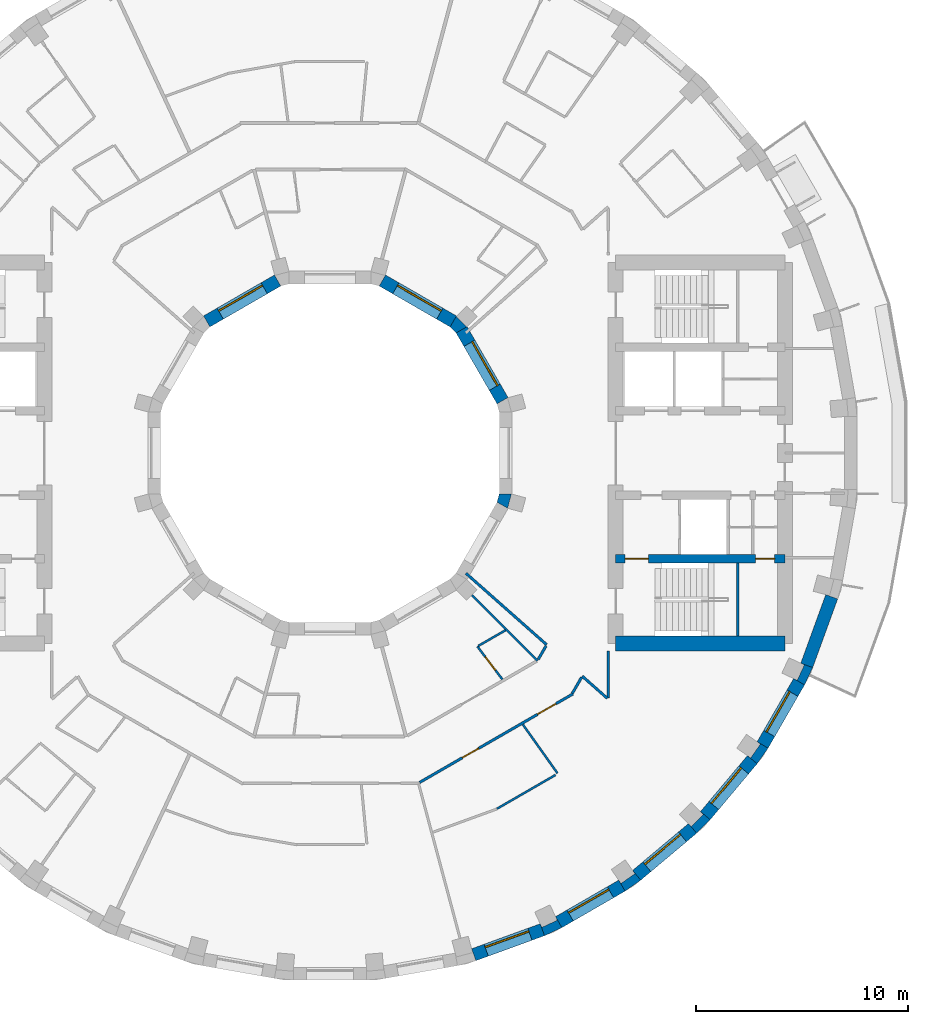
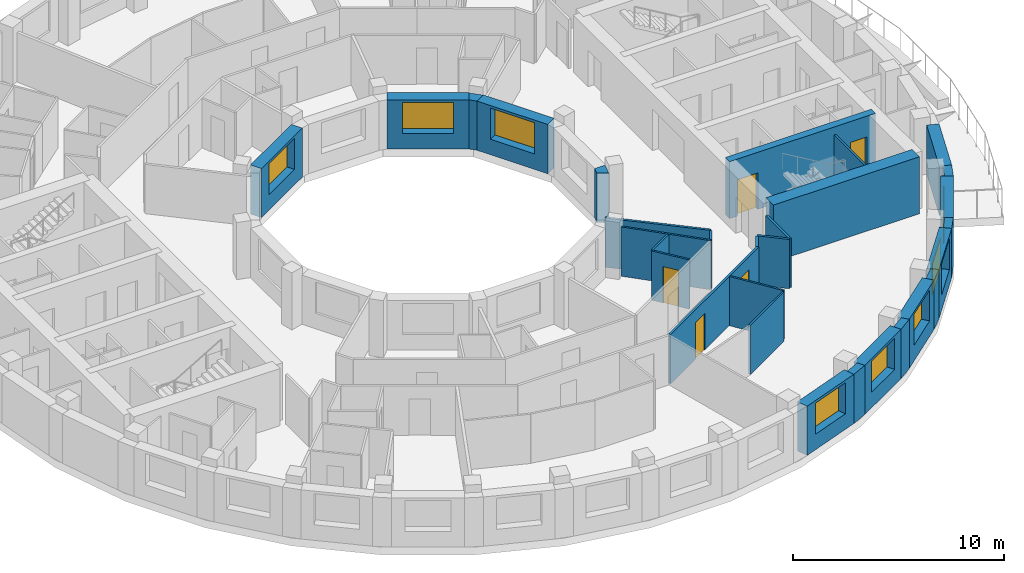
# One storey, part 5 of 11: 30 walls, 8 windows, 5 doors, 13 openings.
"""IFC4 building model written with IfcOpenShell, lengths in metres."""

import ifcopenshell
import ifcopenshell.guid

model = None  # the IFC model being written
_history = None  # IfcOwnerHistory: only IFC2X3 demands one
_inside = {}  # id of a spatial element -> (the spatial element, [elements in it])
_under = {}  # id of a project, library or spatial element -> (it, [spatial elements below it])
_declared = {}  # id of a project -> (the project, [libraries it declares])
_typed = {}  # id of a type object -> (the type object, [elements of that type])
_made_of = {}  # id of a material, layer set ... -> (it, [elements and type objects made of it])


def new_model(schema):
    """Start an empty IFC model of exactly this schema.

    Asked for "IFC4X3", IfcOpenShell would pick the latest addendum, in which some entities
    have other attributes; the version numbers below select the first issue.
    IFC2X3 requires an IfcOwnerHistory on every rooted entity: one is made here for all.
    """
    global model, _history
    if schema == "IFC4X3":
        model = ifcopenshell.file(schema_version=(4, 3, 0, 0))
    else:
        model = ifcopenshell.file(schema=schema)
    _inside.clear()
    _under.clear()
    _declared.clear()
    _typed.clear()
    _made_of.clear()
    _history = None
    if model.schema == "IFC2X3":
        org = make("IfcOrganization", Name="unknown")
        user = make(
            "IfcPersonAndOrganization",
            ThePerson=make("IfcPerson", FamilyName="unknown"),
            TheOrganization=org,
        )
        app = make(
            "IfcApplication",
            ApplicationDeveloper=org,
            Version="unknown",
            ApplicationFullName="unknown",
            ApplicationIdentifier="unknown",
        )
        _history = make(
            "IfcOwnerHistory",
            OwningUser=user,
            OwningApplication=app,
            ChangeAction="ADDED",
            CreationDate=0,
        )
    return model


def make(cls, **values):
    """One entity of the class cls with the attributes given. An attribute that is None is left unset."""
    return model.create_entity(
        cls, **{name: value for name, value in values.items() if value is not None}
    )


def rooted(cls, **values):
    """An entity with a GlobalId (a new one), such as an element, a storey or a relation."""
    return make(cls, GlobalId=ifcopenshell.guid.new(), OwnerHistory=_history, **values)


def si_unit(unit_type, name, prefix=None):
    """IfcSIUnit, for example si_unit("LENGTHUNIT", "METRE", prefix="MILLI")."""
    return make("IfcSIUnit", UnitType=unit_type, Prefix=prefix, Name=name)


def assignment(units):
    """IfcUnitAssignment: the units of a project."""
    return None if units is None else make("IfcUnitAssignment", Units=units)


def point(xyz):
    """IfcCartesianPoint."""
    return None if xyz is None else make("IfcCartesianPoint", Coordinates=xyz)


def direction(xyz):
    """IfcDirection."""
    return None if xyz is None else make("IfcDirection", DirectionRatios=xyz)


def frame(location, z_axis=None, x_axis=None):
    """IfcAxis2Placement3D, a coordinate frame: its origin and axes. An axis left out is left unset."""
    return make(
        "IfcAxis2Placement3D",
        Location=point(location),
        Axis=direction(z_axis),
        RefDirection=direction(x_axis),
    )


def frame_2d(location, x_axis=None):
    """IfcAxis2Placement2D, a coordinate frame in the plane: its origin and x axis."""
    return make(
        "IfcAxis2Placement2D", Location=point(location), RefDirection=direction(x_axis)
    )


def origin():
    """The frame at (0, 0, 0) with its axes left unset."""
    return frame((0.0, 0.0, 0.0))


def place(relative_to, where):
    """IfcLocalPlacement: puts the frame where relative to a parent placement (None: the world)."""
    return make(
        "IfcLocalPlacement", PlacementRelTo=relative_to, RelativePlacement=where
    )


def context(
    kind, dimensions, precision=None, world=None, true_north=None, identifier=None
):
    """IfcGeometricRepresentationContext, for example the 3D "Model" context."""
    return make(
        "IfcGeometricRepresentationContext",
        ContextIdentifier=identifier,
        ContextType=kind,
        CoordinateSpaceDimension=dimensions,
        Precision=precision,
        WorldCoordinateSystem=world,
        TrueNorth=true_north,
    )


def subcontext(parent, identifier, kind, view, scale=None):
    """IfcGeometricRepresentationSubContext, for example "Body" below "Model"."""
    return make(
        "IfcGeometricRepresentationSubContext",
        ContextIdentifier=identifier,
        ContextType=kind,
        ParentContext=parent,
        TargetScale=scale,
        TargetView=view,
    )


def project(units=None, contexts=None):
    """IfcProject with its units and contexts."""
    return rooted(
        "IfcProject",
        Name="project",
        RepresentationContexts=contexts,
        UnitsInContext=assignment(units),
    )


def spatial(cls, under=None, at=None, **own):
    """A site, building, storey or space (cls), placed at a placement, below another one or the project."""
    s = rooted(cls, ObjectPlacement=at, **own)
    if under is not None:
        _under.setdefault(under.id(), (under, []))[1].append(s)
    return s


def polyline(points):
    """IfcPolyline through the points."""
    return make("IfcPolyline", Points=[point(p) for p in points])


def profile(cls, at=None, kind="AREA", **sizes):
    """A parametric profile (cls). Its sizes go by their IFC names, for example OverallWidth=200.0."""
    return make(cls, ProfileType=kind, Position=at, **sizes)


def rectangle(**sizes):
    """IfcRectangleProfileDef."""
    return profile("IfcRectangleProfileDef", **sizes)


def outline(outer, holes=None, kind="AREA"):
    """IfcArbitraryClosedProfileDef: a profile drawn as a closed curve; with holes, ...WithVoids."""
    if holes is None:
        return make("IfcArbitraryClosedProfileDef", ProfileType=kind, OuterCurve=outer)
    return make(
        "IfcArbitraryProfileDefWithVoids",
        ProfileType=kind,
        OuterCurve=outer,
        InnerCurves=holes,
    )


def extrude(swept, where, along, depth):
    """IfcExtrudedAreaSolid: the profile swept, set in the frame where, extruded along a direction by depth."""
    return make(
        "IfcExtrudedAreaSolid",
        SweptArea=swept,
        Position=where,
        ExtrudedDirection=direction(along),
        Depth=depth,
    )


def shape(context_of_items, identifier, shape_type, items):
    """IfcShapeRepresentation: the items that make up one representation, for example the "Body"."""
    return make(
        "IfcShapeRepresentation",
        ContextOfItems=context_of_items,
        RepresentationIdentifier=identifier,
        RepresentationType=shape_type,
        Items=items,
    )


def material(Name=None, Category=None):
    """IfcMaterial."""
    return make("IfcMaterial", Name=Name, Category=Category)


def layer(
    of_material, thickness, ventilated=None, Name=None, Category=None, Priority=None
):
    """IfcMaterialLayer: one layer of a wall or slab, of a material (None: an air gap)."""
    return make(
        "IfcMaterialLayer",
        Material=of_material,
        LayerThickness=thickness,
        IsVentilated=ventilated,
        Name=Name,
        Category=Category,
        Priority=Priority,
    )


def layer_set(layers, Name=None):
    """IfcMaterialLayerSet."""
    return make("IfcMaterialLayerSet", MaterialLayers=layers, LayerSetName=Name)


def made_of(thing, what):
    """Note that an element or type object is made of a material, layer set ...; save() writes the relation."""
    if what is not None:
        _made_of.setdefault(what.id(), (what, []))[1].append(thing)
    return thing


def type_object(cls, material=None, **own):
    """A type object (cls), such as IfcWallType, which elements share."""
    return made_of(rooted(cls, **own), material)


def element(
    cls,
    number,
    at=None,
    inside=None,
    cuts=None,
    type_object=None,
    material=None,
    context=None,
    identifier="Body",
    shape_type=None,
    held_by="IfcProductDefinitionShape",
    body=None,
    shapes=None,
    **own,
):
    """One element of the class cls, such as IfcWall. Its Tag is "e" and its number.

    at: its placement. inside: the storey or other place that contains it. cuts: it is an
    opening in that element (IfcRelVoidsElement). A single representation is given by context,
    identifier, shape_type and body (its items); several are given by shapes. held_by: the class
    of the entity that holds the representations. save() writes the other relations.
    """
    e = rooted(cls, Tag="e%d" % number, ObjectPlacement=at, **own)
    if body is not None:
        shapes = [shape(context, identifier, shape_type, body)]
    if shapes is not None:
        e.Representation = make(held_by, Representations=shapes)
    if inside is not None:
        _inside.setdefault(inside.id(), (inside, []))[1].append(e)
    if cuts is not None:
        rooted(
            "IfcRelVoidsElement", RelatingBuildingElement=cuts, RelatedOpeningElement=e
        )
    if type_object is not None:
        _typed.setdefault(type_object.id(), (type_object, []))[1].append(e)
    return made_of(e, material)


def fill(opening, filler):
    """IfcRelFillsElement: the door or window that sits in an opening."""
    return rooted(
        "IfcRelFillsElement",
        RelatingOpeningElement=opening,
        RelatedBuildingElement=filler,
    )


def aggregate(whole, parts):
    """IfcRelAggregates: a whole, such as a stair, and the parts it consists of."""
    return rooted("IfcRelAggregates", RelatingObject=whole, RelatedObjects=parts)


def save(model, path):
    """Write the relations noted so far, then the file.

    IfcRelAggregates (storeys below a building ...), IfcRelContainedInSpatialStructure (elements
    in a storey), IfcRelDefinesByType, IfcRelAssociatesMaterial and IfcRelDeclares: one each for
    every whole, place, type object, material and project.
    """
    for whole, parts in _under.values():
        aggregate(whole, parts)
    for where, things in _inside.values():
        rooted(
            "IfcRelContainedInSpatialStructure",
            RelatedElements=things,
            RelatingStructure=where,
        )
    for kind, things in _typed.values():
        rooted("IfcRelDefinesByType", RelatedObjects=things, RelatingType=kind)
    for what, things in _made_of.values():
        rooted("IfcRelAssociatesMaterial", RelatedObjects=things, RelatingMaterial=what)
    for by, libraries in _declared.values():
        rooted("IfcRelDeclares", RelatingContext=by, RelatedDefinitions=libraries)
    model.write(path)


model = new_model("IFC4")

# Units and contexts
model_context = context("Model", 3, precision=1e-05, world=origin(), true_north=direction((0.0, 1.0)))
body_context = subcontext(model_context, "Body", "Model", "MODEL_VIEW")
ifc_project = project(units=[si_unit("LENGTHUNIT", "METRE"), si_unit("AREAUNIT", "SQUARE_METRE"), si_unit("VOLUMEUNIT", "CUBIC_METRE"), si_unit("PLANEANGLEUNIT", "RADIAN"), si_unit("MASSUNIT", "GRAM", prefix="KILO")], contexts=[model_context])

# Site, building, storey
site_placement = place(None, origin())
site = spatial("IfcSite", under=ifc_project, at=site_placement, CompositionType="ELEMENT")
building_placement = place(site_placement, origin())
building = spatial("IfcBuilding", under=site, at=building_placement, Name="Saqina Gate Tower", CompositionType="ELEMENT")
storey_placement = place(building_placement, frame((0.0, 0.0, 180.60009765625)))
storey = spatial("IfcBuildingStorey", under=building, at=storey_placement, Name="L51", CompositionType="ELEMENT", Elevation=180.60009765625)

# Walls
ifc_material_1 = material(Name="Brick masonry (buff)", Category="masonry")
wall_type_1 = type_object("IfcWallType", Name="BRICK PIER COPING BUFF", PredefinedType="SOLIDWALL", material=ifc_material_1)
wall_1_placement = place(storey_placement, origin())
element("IfcWall", 1, at=wall_1_placement, inside=storey, type_object=wall_type_1, Name="Pier cap L51 column 30", PredefinedType="SOLIDWALL", context=body_context, shape_type="SweptSolid", body=[
    extrude(outline(polyline([(10.958740234375, -22.4306640625), (10.65869140625, -21.9111328125), (10.73779296875, -22.080810546875), (10.0126953125, -22.4189453125), (9.93359375, -22.249267578125), (10.138916015625, -22.81298828125), (10.958740234375, -22.4306640625)])), origin(), (0.0, 0.0, 1.0), 2.849853515625),
])
wall_2_placement = place(storey_placement, origin())
element("IfcWall", 2, at=wall_2_placement, inside=storey, type_object=wall_type_1, Name="Pier cap L51 column 31", PredefinedType="SOLIDWALL", context=body_context, shape_type="SweptSolid", body=[
    extrude(outline(polyline([(13.9462890625, -20.705810546875), (14.687255859375, -20.18701171875), (14.301513671875, -19.727294921875), (14.408935546875, -19.880859375), (13.753662109375, -20.339599609375), (13.646240234375, -20.186279296875), (13.9462890625, -20.705810546875)])), origin(), (0.0, 0.0, 1.0), 2.849853515625),
])
wall_3_placement = place(storey_placement, origin())
element("IfcWall", 3, at=wall_3_placement, inside=storey, type_object=wall_type_1, Name="Pier cap L51 column 32", PredefinedType="SOLIDWALL", context=body_context, shape_type="SweptSolid", body=[
    extrude(outline(polyline([(17.969482421875, -17.329833984375), (17.510009765625, -16.944091796875), (17.642333984375, -17.07666015625), (17.07666015625, -17.642333984375), (16.944091796875, -17.510009765625), (17.329833984375, -17.969482421875), (17.969482421875, -17.329833984375)])), origin(), (0.0, 0.0, 1.0), 2.849853515625),
])
wall_4_placement = place(storey_placement, origin())
element("IfcWall", 4, at=wall_4_placement, inside=storey, type_object=wall_type_1, Name="Pier cap L51 column 33", PredefinedType="SOLIDWALL", context=body_context, shape_type="SweptSolid", body=[
    extrude(outline(polyline([(20.18701171875, -14.687255859375), (20.705810546875, -13.9462890625), (20.186279296875, -13.646240234375), (20.339599609375, -13.753662109375), (19.880859375, -14.408935546875), (19.727294921875, -14.301513671875), (20.18701171875, -14.687255859375)])), origin(), (0.0, 0.0, 1.0), 2.849853515625),
])
wall_5_placement = place(storey_placement, origin())
element("IfcWall", 5, at=wall_5_placement, inside=storey, type_object=wall_type_1, Name="Pier cap L51 column 34", PredefinedType="SOLIDWALL", context=body_context, shape_type="SweptSolid", body=[
    extrude(outline(polyline([(22.81298828125, -10.138916015625), (22.249267578125, -9.93359375), (22.4189453125, -10.0126953125), (22.080810546875, -10.73779296875), (21.9111328125, -10.65869140625), (22.4306640625, -10.958740234375), (22.81298828125, -10.138916015625)])), origin(), (0.0, 0.0, 1.0), 2.849853515625),
])

# Wall, opening, window
ifc_material_2 = material(Name="Brick masonry (buff)", Category="masonry")
ifc_layer_1 = layer(ifc_material_2, 0.60009765625)
ifc_layer_set_1 = layer_set([ifc_layer_1], Name="FW-BRICK-BUFF")
wall_type_2 = type_object("IfcWallType", Name="FW-BRICK-BUFF", PredefinedType="SOLIDWALL", material=ifc_layer_set_1)
wall_6_placement = place(storey_placement, frame((6.79443359375, -23.7109375, 0.0), z_axis=(0.0, 0.0, 1.0), x_axis=(0.93968799822, 0.342032843455, 0.0)))
wall_6 = element("IfcWall", 6, at=wall_6_placement, inside=storey, type_object=wall_type_2, Name="Facade wall L51 facet 29", PredefinedType="SOLIDWALL", context=body_context, shape_type="SweptSolid", body=[
    extrude(rectangle(XDim=3.44970703125, YDim=0.60009765625, at=frame_2d((1.724853515625, 0.0))), origin(), (0.0, 0.0, 1.0), 2.849853515625),
])
opening_1_placement = place(wall_6_placement, frame((0.625, 0.0, 0.89990234375)))
opening_1 = element("IfcOpeningElement", 7, at=opening_1_placement, cuts=wall_6, Name="Opening G15-W21", PredefinedType="OPENING", context=body_context, shape_type="SweptSolid", body=[
    extrude(rectangle(XDim=2.199951171875, YDim=1.800048828125, at=frame_2d((1.10009765625, 0.89990234375))), frame((0.0, 0.31201171875, 0.0), z_axis=(0.0, -1.0, 0.0), x_axis=(1.0, 0.0, 0.0)), (0.0, 0.0, 1.0), 0.6240234375),
])
ifc_material_3 = material(Name="Aluminium glazing", Category="aluminium")
window_type_1 = type_object("IfcWindowType", Name="WN-C", PartitioningType="SINGLE_PANEL", PredefinedType="WINDOW", material=ifc_material_3)
window_1_placement = place(opening_1_placement, origin())
window_1 = element("IfcWindow", 8, at=window_1_placement, inside=storey, type_object=window_type_1, Name="Window L51 facet 29", OverallHeight=1.800048828125, OverallWidth=2.199951171875, PartitioningType="SINGLE_PANEL", PredefinedType="WINDOW", context=body_context, shape_type="SweptSolid", body=[
    extrude(rectangle(XDim=2.199951171875, YDim=1.800048828125, at=frame_2d((1.10009765625, 0.89990234375))), frame((0.0, 0.179931640625, 0.0), z_axis=(0.0, -1.0, 0.0), x_axis=(1.0, 0.0, 0.0)), (0.0, 0.0, 1.0), 0.06005859375),
])
fill(opening_1, window_1)

wall_7_placement = place(storey_placement, frame((10.80859375, -22.1708984375, 0.0), z_axis=(0.0, 0.0, 1.0), x_axis=(0.86602648383, 0.499998129301, 0.0)))
wall_7 = element("IfcWall", 9, at=wall_7_placement, inside=storey, type_object=wall_type_2, Name="Facade wall L51 facet 30", PredefinedType="SOLIDWALL", context=body_context, shape_type="SweptSolid", body=[
    extrude(rectangle(XDim=3.44970703125, YDim=0.60009765625, at=frame_2d((1.724853515625, 0.0))), origin(), (0.0, 0.0, 1.0), 2.849853515625),
])
opening_2_placement = place(wall_7_placement, frame((0.625, 0.0, 0.89990234375)))
opening_2 = element("IfcOpeningElement", 10, at=opening_2_placement, cuts=wall_7, Name="Opening G15-W22", PredefinedType="OPENING", context=body_context, shape_type="SweptSolid", body=[
    extrude(rectangle(XDim=2.199951171875, YDim=1.800048828125, at=frame_2d((1.10009765625, 0.89990234375))), frame((0.0, 0.31201171875, 0.0), z_axis=(0.0, -1.0, 0.0), x_axis=(1.0, 0.0, 0.0)), (0.0, 0.0, 1.0), 0.6240234375),
])
window_2_placement = place(opening_2_placement, origin())
window_2 = element("IfcWindow", 11, at=window_2_placement, inside=storey, type_object=window_type_1, Name="Window L51 facet 30", OverallHeight=1.800048828125, OverallWidth=2.199951171875, PartitioningType="SINGLE_PANEL", PredefinedType="WINDOW", context=body_context, shape_type="SweptSolid", body=[
    extrude(rectangle(XDim=2.199951171875, YDim=1.800048828125, at=frame_2d((1.10009765625, 0.89990234375))), frame((0.0, 0.179931640625, 0.0), z_axis=(0.0, -1.0, 0.0), x_axis=(1.0, 0.0, 0.0)), (0.0, 0.0, 1.0), 0.06005859375),
])
fill(opening_2, window_2)

wall_8_placement = place(storey_placement, frame((14.494384765625, -19.95703125, 0.0), z_axis=(0.0, 0.0, 1.0), x_axis=(0.766058884809, 0.642770398358, 0.0)))
wall_8 = element("IfcWall", 12, at=wall_8_placement, inside=storey, type_object=wall_type_2, Name="Facade wall L51 facet 31", PredefinedType="SOLIDWALL", context=body_context, shape_type="SweptSolid", body=[
    extrude(rectangle(XDim=3.449462890625, YDim=0.60009765625, at=frame_2d((1.724609375, 0.0))), origin(), (0.0, 0.0, 1.0), 2.849853515625),
])
opening_3_placement = place(wall_8_placement, frame((0.625, 0.0, 0.89990234375)))
opening_3 = element("IfcOpeningElement", 13, at=opening_3_placement, cuts=wall_8, Name="Opening G15-W23", PredefinedType="OPENING", context=body_context, shape_type="SweptSolid", body=[
    extrude(rectangle(XDim=2.199951171875, YDim=1.800048828125, at=frame_2d((1.10009765625, 0.89990234375))), frame((0.0, 0.31201171875, 0.0), z_axis=(0.0, -1.0, 0.0), x_axis=(1.0, 0.0, 0.0)), (0.0, 0.0, 1.0), 0.6240234375),
])
window_3_placement = place(opening_3_placement, origin())
window_3 = element("IfcWindow", 14, at=window_3_placement, inside=storey, type_object=window_type_1, Name="Window L51 facet 31", OverallHeight=1.800048828125, OverallWidth=2.199951171875, PartitioningType="SINGLE_PANEL", PredefinedType="WINDOW", context=body_context, shape_type="SweptSolid", body=[
    extrude(rectangle(XDim=2.199951171875, YDim=1.800048828125, at=frame_2d((1.10009765625, 0.89990234375))), frame((0.0, 0.179931640625, 0.0), z_axis=(0.0, -1.0, 0.0), x_axis=(1.0, 0.0, 0.0)), (0.0, 0.0, 1.0), 0.06005859375),
])
fill(opening_3, window_3)

wall_9_placement = place(storey_placement, frame((17.73974609375, -17.136962890625, 0.0), z_axis=(0.0, 0.0, 1.0), x_axis=(0.642770398358, 0.766058884809, 0.0)))
wall_9 = element("IfcWall", 15, at=wall_9_placement, inside=storey, type_object=wall_type_2, Name="Facade wall L51 facet 32", PredefinedType="SOLIDWALL", context=body_context, shape_type="SweptSolid", body=[
    extrude(rectangle(XDim=3.449462890625, YDim=0.60009765625, at=frame_2d((1.724609375, 0.0))), origin(), (0.0, 0.0, 1.0), 2.849853515625),
])
opening_4_placement = place(wall_9_placement, frame((0.625, 0.0, 0.89990234375)))
opening_4 = element("IfcOpeningElement", 16, at=opening_4_placement, cuts=wall_9, Name="Opening G15-W24", PredefinedType="OPENING", context=body_context, shape_type="SweptSolid", body=[
    extrude(rectangle(XDim=2.199951171875, YDim=1.800048828125, at=frame_2d((1.10009765625, 0.89990234375))), frame((0.0, 0.31201171875, 0.0), z_axis=(0.0, -1.0, 0.0), x_axis=(1.0, 0.0, 0.0)), (0.0, 0.0, 1.0), 0.6240234375),
])
window_4_placement = place(opening_4_placement, origin())
window_4 = element("IfcWindow", 17, at=window_4_placement, inside=storey, type_object=window_type_1, Name="Window L51 facet 32", OverallHeight=1.800048828125, OverallWidth=2.199951171875, PartitioningType="SINGLE_PANEL", PredefinedType="WINDOW", context=body_context, shape_type="SweptSolid", body=[
    extrude(rectangle(XDim=2.199951171875, YDim=1.800048828125, at=frame_2d((1.10009765625, 0.89990234375))), frame((0.0, 0.179931640625, 0.0), z_axis=(0.0, -1.0, 0.0), x_axis=(1.0, 0.0, 0.0)), (0.0, 0.0, 1.0), 0.06005859375),
])
fill(opening_4, window_4)

wall_10_placement = place(storey_placement, frame((20.446044921875, -13.796142578125, 0.0), z_axis=(0.0, 0.0, 1.0), x_axis=(0.499998129301, 0.86602648383, 0.0)))
wall_10 = element("IfcWall", 18, at=wall_10_placement, inside=storey, type_object=wall_type_2, Name="Facade wall L51 facet 33", PredefinedType="SOLIDWALL", context=body_context, shape_type="SweptSolid", body=[
    extrude(rectangle(XDim=3.44970703125, YDim=0.60009765625, at=frame_2d((1.724853515625, 0.0))), origin(), (0.0, 0.0, 1.0), 2.849853515625),
])
opening_5_placement = place(wall_10_placement, frame((0.625, 0.0, 0.89990234375)))
opening_5 = element("IfcOpeningElement", 19, at=opening_5_placement, cuts=wall_10, Name="Opening G15-W25", PredefinedType="OPENING", context=body_context, shape_type="SweptSolid", body=[
    extrude(rectangle(XDim=2.199951171875, YDim=1.800048828125, at=frame_2d((1.10009765625, 0.89990234375))), frame((0.0, 0.31201171875, 0.0), z_axis=(0.0, -1.0, 0.0), x_axis=(1.0, 0.0, 0.0)), (0.0, 0.0, 1.0), 0.6240234375),
])
window_5_placement = place(opening_5_placement, origin())
window_5 = element("IfcWindow", 20, at=window_5_placement, inside=storey, type_object=window_type_1, Name="Window L51 facet 33", OverallHeight=1.800048828125, OverallWidth=2.199951171875, PartitioningType="SINGLE_PANEL", PredefinedType="WINDOW", context=body_context, shape_type="SweptSolid", body=[
    extrude(rectangle(XDim=2.199951171875, YDim=1.800048828125, at=frame_2d((1.10009765625, 0.89990234375))), frame((0.0, 0.179931640625, 0.0), z_axis=(0.0, -1.0, 0.0), x_axis=(1.0, 0.0, 0.0)), (0.0, 0.0, 1.0), 0.06005859375),
])
fill(opening_5, window_5)

# Wall
ifc_material_4 = material(Name="Glazed ceramic tile", Category="ceramic")
ifc_layer_2 = layer(ifc_material_4, 0.60009765625)
ifc_layer_set_2 = layer_set([ifc_layer_2], Name="FW-TILE")
wall_type_3 = type_object("IfcWallType", Name="FW-TILE", PredefinedType="SOLIDWALL", material=ifc_layer_set_2)
wall_11_placement = place(storey_placement, frame((22.531005859375, -10.0361328125, 0.0), z_axis=(0.0, 0.0, 1.0), x_axis=(0.342032843455, 0.93968799822, 0.0)))
element("IfcWall", 21, at=wall_11_placement, inside=storey, type_object=wall_type_3, Name="Facade wall L51 facet 34", PredefinedType="SOLIDWALL", context=body_context, shape_type="SweptSolid", body=[
    extrude(rectangle(XDim=3.44970703125, YDim=0.60009765625, at=frame_2d((1.724853515625, 0.0))), origin(), (0.0, 0.0, 1.0), 2.849853515625),
])

# Wall, opening, window
ifc_material_5 = material(Name="Glazed ceramic tile", Category="ceramic")
ifc_layer_3 = layer(ifc_material_5, 0.60009765625)
ifc_layer_set_3 = layer_set([ifc_layer_3], Name="IW-TILE")
wall_type_4 = type_object("IfcWallType", Name="IW-TILE", PredefinedType="SOLIDWALL", material=ifc_layer_set_3)
wall_12_placement = place(storey_placement, frame((8.155517578125, 2.474365234375, 0.0), z_axis=(0.0, 0.0, 1.0), x_axis=(-0.500033728941, 0.866005929495, 0.0)))
wall_12 = element("IfcWall", 22, at=wall_12_placement, inside=storey, type_object=wall_type_4, Name="Well wall L51 facet 1", PredefinedType="SOLIDWALL", context=body_context, shape_type="SweptSolid", body=[
    extrude(rectangle(XDim=3.869873046875, YDim=0.60009765625, at=frame_2d((1.93505859375, 0.0))), origin(), (0.0, 0.0, 1.0), 2.849853515625),
])
opening_6_placement = place(wall_12_placement, frame((0.73486328125, 0.0, 0.89990234375)))
opening_6 = element("IfcOpeningElement", 23, at=opening_6_placement, cuts=wall_12, Name="Opening G15-W26", PredefinedType="OPENING", context=body_context, shape_type="SweptSolid", body=[
    extrude(rectangle(XDim=2.39990234375, YDim=1.800048828125, at=frame_2d((1.199951171875, 0.89990234375))), frame((0.0, 0.31201171875, 0.0), z_axis=(0.0, -1.0, 0.0), x_axis=(1.0, 0.0, 0.0)), (0.0, 0.0, 1.0), 0.6240234375),
])
ifc_material_6 = material(Name="Aluminium glazing", Category="aluminium")
window_type_2 = type_object("IfcWindowType", Name="WN-W", PartitioningType="SINGLE_PANEL", PredefinedType="WINDOW", material=ifc_material_6)
window_6_placement = place(opening_6_placement, origin())
window_6 = element("IfcWindow", 24, at=window_6_placement, inside=storey, type_object=window_type_2, Name="Well window L51 facet 1", OverallHeight=1.800048828125, OverallWidth=2.39990234375, PartitioningType="SINGLE_PANEL", PredefinedType="WINDOW", context=body_context, shape_type="SweptSolid", body=[
    extrude(rectangle(XDim=2.39990234375, YDim=1.800048828125, at=frame_2d((1.199951171875, 0.89990234375))), frame((0.0, -0.119873046875, 0.0), z_axis=(0.0, -1.0, 0.0), x_axis=(1.0, 0.0, 0.0)), (0.0, 0.0, 1.0), 0.06005859375),
])
fill(opening_6, window_6)

wall_13_placement = place(storey_placement, frame((5.82568359375, 6.220458984375, 0.0), z_axis=(0.0, 0.0, 1.0), x_axis=(-0.866005929495, 0.500033728941, 0.0)))
wall_13 = element("IfcWall", 25, at=wall_13_placement, inside=storey, type_object=wall_type_4, Name="Well wall L51 facet 2", PredefinedType="SOLIDWALL", context=body_context, shape_type="SweptSolid", body=[
    extrude(rectangle(XDim=3.869873046875, YDim=0.60009765625, at=frame_2d((1.93505859375, 0.0))), origin(), (0.0, 0.0, 1.0), 2.849853515625),
])
opening_7_placement = place(wall_13_placement, frame((0.73486328125, 0.0, 0.89990234375)))
opening_7 = element("IfcOpeningElement", 26, at=opening_7_placement, cuts=wall_13, Name="Opening G15-W27", PredefinedType="OPENING", context=body_context, shape_type="SweptSolid", body=[
    extrude(rectangle(XDim=2.39990234375, YDim=1.800048828125, at=frame_2d((1.199951171875, 0.89990234375))), frame((0.0, 0.31201171875, 0.0), z_axis=(0.0, -1.0, 0.0), x_axis=(1.0, 0.0, 0.0)), (0.0, 0.0, 1.0), 0.6240234375),
])
window_7_placement = place(opening_7_placement, origin())
window_7 = element("IfcWindow", 27, at=window_7_placement, inside=storey, type_object=window_type_2, Name="Well window L51 facet 2", OverallHeight=1.800048828125, OverallWidth=2.39990234375, PartitioningType="SINGLE_PANEL", PredefinedType="WINDOW", context=body_context, shape_type="SweptSolid", body=[
    extrude(rectangle(XDim=2.39990234375, YDim=1.800048828125, at=frame_2d((1.199951171875, 0.89990234375))), frame((0.0, -0.119873046875, 0.0), z_axis=(0.0, -1.0, 0.0), x_axis=(1.0, 0.0, 0.0)), (0.0, 0.0, 1.0), 0.06005859375),
])
fill(opening_7, window_7)

wall_14_placement = place(storey_placement, frame((-2.474365234375, 8.155517578125, 0.0), z_axis=(0.0, 0.0, 1.0), x_axis=(-0.866005929495, -0.500033728941, 0.0)))
wall_14 = element("IfcWall", 28, at=wall_14_placement, inside=storey, type_object=wall_type_4, Name="Well wall L51 facet 4", PredefinedType="SOLIDWALL", context=body_context, shape_type="SweptSolid", body=[
    extrude(rectangle(XDim=3.869873046875, YDim=0.60009765625, at=frame_2d((1.93505859375, 0.0))), origin(), (0.0, 0.0, 1.0), 2.849853515625),
])
opening_8_placement = place(wall_14_placement, frame((0.73486328125, 0.0, 0.89990234375)))
opening_8 = element("IfcOpeningElement", 29, at=opening_8_placement, cuts=wall_14, Name="Opening G15-W29", PredefinedType="OPENING", context=body_context, shape_type="SweptSolid", body=[
    extrude(rectangle(XDim=2.39990234375, YDim=1.800048828125, at=frame_2d((1.199951171875, 0.89990234375))), frame((0.0, 0.31201171875, 0.0), z_axis=(0.0, -1.0, 0.0), x_axis=(1.0, 0.0, 0.0)), (0.0, 0.0, 1.0), 0.6240234375),
])
window_8_placement = place(opening_8_placement, origin())
window_8 = element("IfcWindow", 30, at=window_8_placement, inside=storey, type_object=window_type_2, Name="Well window L51 facet 4", OverallHeight=1.800048828125, OverallWidth=2.39990234375, PartitioningType="SINGLE_PANEL", PredefinedType="WINDOW", context=body_context, shape_type="SweptSolid", body=[
    extrude(rectangle(XDim=2.39990234375, YDim=1.800048828125, at=frame_2d((1.199951171875, 0.89990234375))), frame((0.0, -0.119873046875, 0.0), z_axis=(0.0, -1.0, 0.0), x_axis=(1.0, 0.0, 0.0)), (0.0, 0.0, 1.0), 0.06005859375),
])
fill(opening_8, window_8)

# Wall
ifc_material_7 = material(Name="Gypsum board on steel studs, 100 mm", Category="steel")
ifc_layer_4 = layer(ifc_material_7, 0.10009765625)
ifc_layer_set_4 = layer_set([ifc_layer_4], Name="PARTITION 100")
wall_type_5 = type_object("IfcWallType", Name="PARTITION 100", PredefinedType="PARTITIONING", material=ifc_layer_set_4)
wall_15_placement = place(storey_placement, frame((9.111083984375, -12.824951171875, 0.0), z_axis=(0.0, 0.0, 1.0), x_axis=(0.579255360371, -0.815146138727, 0.0)))
element("IfcWall", 31, at=wall_15_placement, inside=storey, type_object=wall_type_5, Name="PARTITION PW3-10", PredefinedType="PARTITIONING", context=body_context, shape_type="SweptSolid", body=[
    extrude(rectangle(XDim=2.832763671875, YDim=0.10009765625, at=frame_2d((1.41650390625, 0.0))), origin(), (0.0, 0.0, 1.0), 2.849853515625),
])

# Wall, opening, door
wall_16_placement = place(storey_placement, frame((6.965087890625, -9.14208984375, 0.0), z_axis=(0.0, 0.0, 1.0), x_axis=(0.606001795315, -0.795463276383, 0.0)))
wall_16 = element("IfcWall", 32, at=wall_16_placement, inside=storey, type_object=wall_type_5, Name="PARTITION PW3-11", PredefinedType="PARTITIONING", context=body_context, shape_type="SweptSolid", body=[
    extrude(rectangle(XDim=1.95361328125, YDim=0.10009765625, at=frame_2d((0.976806640625, 0.0))), origin(), (0.0, 0.0, 1.0), 2.849853515625),
])
opening_9_placement = place(wall_16_placement, frame((0.608154296875, 0.0, 0.0)))
opening_9 = element("IfcOpeningElement", 33, at=opening_9_placement, cuts=wall_16, Name="Opening G15-D36", PredefinedType="OPENING", context=body_context, shape_type="SweptSolid", body=[
    extrude(rectangle(XDim=0.800048828125, YDim=2.10009765625, at=frame_2d((0.39990234375, 1.050048828125))), frame((0.0, 0.06201171875, 0.0), z_axis=(0.0, -1.0, 0.0), x_axis=(1.0, 0.0, 0.0)), (0.0, 0.0, 1.0), 0.1240234375),
])
ifc_material_8 = material(Name="Timber door leaf, 800 mm", Category="wood")
door_type_1 = type_object("IfcDoorType", Name="DOOR 800 TIMBER", OperationType="SINGLE_SWING_LEFT", PredefinedType="DOOR", material=ifc_material_8)
door_1_placement = place(opening_9_placement, frame((0.800048828125, 0.0, 0.0), z_axis=(0.0, 0.0, 1.0), x_axis=(-1.0, 0.0, 0.0)))
door_1 = element("IfcDoor", 34, at=door_1_placement, inside=storey, type_object=door_type_1, Name="DOOR G15-D36", OperationType="SINGLE_SWING_LEFT", OverallHeight=2.10009765625, OverallWidth=0.800048828125, PredefinedType="DOOR", context=body_context, shape_type="SweptSolid", body=[
    extrude(rectangle(XDim=0.800048828125, YDim=2.10009765625, at=frame_2d((0.39990234375, 1.050048828125))), frame((0.0, 0.02490234375, 0.0), z_axis=(0.0, -1.0, 0.0), x_axis=(1.0, 0.0, 0.0)), (0.0, 0.0, 1.0), 0.050048828125),
])
fill(opening_9, door_1)

# Walls
wall_17_placement = place(storey_placement, frame((6.7119140625, -6.7119140625, 0.0), z_axis=(0.0, 0.0, 1.0), x_axis=(0.707106781187, -0.707106781187, 0.0)))
element("IfcWall", 35, at=wall_17_placement, inside=storey, type_object=wall_type_5, Name="PARTITION PW3-17", PredefinedType="PARTITIONING", context=body_context, shape_type="SweptSolid", body=[
    extrude(rectangle(XDim=4.380126953125, YDim=0.10009765625, at=frame_2d((2.18994140625, 0.0))), origin(), (0.0, 0.0, 1.0), 2.849853515625),
])
wall_18_placement = place(storey_placement, frame((7.893310546875, -16.81005859375, 0.0), z_axis=(0.0, 0.0, 1.0), x_axis=(0.866014687101, 0.50001856138, 0.0)))
element("IfcWall", 36, at=wall_18_placement, inside=storey, type_object=wall_type_5, Name="PARTITION PW3-39", PredefinedType="PARTITIONING", context=body_context, shape_type="SweptSolid", body=[
    extrude(rectangle(XDim=3.18798828125, YDim=0.10009765625, at=frame_2d((1.593994140625, 0.0))), origin(), (0.0, 0.0, 1.0), 2.849853515625),
])
wall_19_placement = place(storey_placement, frame((7.00830078125, -9.116943359375, 0.0), z_axis=(0.0, 0.0, 1.0), x_axis=(0.866011369566, 0.500024307192, 0.0)))
element("IfcWall", 37, at=wall_19_placement, inside=storey, type_object=wall_type_5, Name="PARTITION PW3-40", PredefinedType="PARTITIONING", context=body_context, shape_type="SweptSolid", body=[
    extrude(rectangle(XDim=1.49365234375, YDim=0.10009765625, at=frame_2d((0.746826171875, 0.0))), origin(), (0.0, 0.0, 1.0), 2.849853515625),
])
ifc_material_9 = material(Name="Gypsum board on steel studs, 125 mm, fire rated", Category="steel")
ifc_layer_5 = layer(ifc_material_9, 0.125)
ifc_layer_set_5 = layer_set([ifc_layer_5], Name="PARTITION EI 30 125")
wall_type_6 = type_object("IfcWallType", Name="PARTITION EI 30 125", PredefinedType="PARTITIONING", material=ifc_layer_set_5)
wall_20_placement = place(storey_placement, frame((11.922607421875, -10.546875, 0.0), z_axis=(0.0, 0.0, 1.0), x_axis=(0.749268344005, -0.662266523895, 0.0)))
element("IfcWall", 38, at=wall_20_placement, inside=storey, type_object=wall_type_6, Name="PARTITION PW1-08", PredefinedType="PARTITIONING", context=body_context, shape_type="SweptSolid", body=[
    extrude(rectangle(XDim=1.5771484375, YDim=0.125, at=frame_2d((0.78857421875, 0.0))), origin(), (0.0, 0.0, 1.0), 2.849853515625),
])
wall_21_placement = place(storey_placement, frame((6.419921875, -5.679931640625, 0.0), z_axis=(0.0, 0.0, 1.0), x_axis=(0.748964600862, -0.662610010983, 0.0)))
element("IfcWall", 39, at=wall_21_placement, inside=storey, type_object=wall_type_6, Name="PARTITION PW1-11", PredefinedType="PARTITIONING", context=body_context, shape_type="SweptSolid", body=[
    extrude(rectangle(XDim=5.10302734375, YDim=0.125, at=frame_2d((2.551513671875, 0.0))), origin(), (0.0, 0.0, 1.0), 2.849853515625),
])

# Wall, openings, doors
wall_22_placement = place(storey_placement, frame((4.234130859375, -15.56884765625, 0.0), z_axis=(0.0, 0.0, 1.0), x_axis=(0.866024799292, 0.50000104701, 0.0)))
wall_22 = element("IfcWall", 40, at=wall_22_placement, inside=storey, type_object=wall_type_6, Name="PARTITION PW1-24", PredefinedType="PARTITIONING", context=body_context, shape_type="SweptSolid", body=[
    extrude(rectangle(XDim=8.36962890625, YDim=0.125, at=frame_2d((4.184814453125, 0.0))), origin(), (0.0, 0.0, 1.0), 2.849853515625),
])
opening_10_placement = place(wall_22_placement, frame((2.327880859375, 0.0, 0.0)))
opening_10 = element("IfcOpeningElement", 41, at=opening_10_placement, cuts=wall_22, Name="Opening G15-D34", PredefinedType="OPENING", context=body_context, shape_type="SweptSolid", body=[
    extrude(rectangle(XDim=0.89990234375, YDim=2.10009765625, at=frame_2d((0.449951171875, 1.050048828125))), frame((0.0, 0.074462890625, 0.0), z_axis=(0.0, -1.0, 0.0), x_axis=(1.0, 0.0, 0.0)), (0.0, 0.0, 1.0), 0.14892578125),
])
opening_11_placement = place(wall_22_placement, frame((6.4423828125, 0.0, 0.0)))
opening_11 = element("IfcOpeningElement", 42, at=opening_11_placement, cuts=wall_22, Name="Opening G15-D37", PredefinedType="OPENING", context=body_context, shape_type="SweptSolid", body=[
    extrude(rectangle(XDim=1.0, YDim=2.10009765625, at=frame_2d((0.5, 1.050048828125))), frame((0.0, 0.074462890625, 0.0), z_axis=(0.0, -1.0, 0.0), x_axis=(1.0, 0.0, 0.0)), (0.0, 0.0, 1.0), 0.14892578125),
])
ifc_material_10 = material(Name="Fire door leaf EI 30, 1000 mm")
door_type_2 = type_object("IfcDoorType", Name="DOOR 1000 EI 30", OperationType="SINGLE_SWING_LEFT", PredefinedType="DOOR", material=ifc_material_10)
door_2_placement = place(opening_11_placement, origin())
door_2 = element("IfcDoor", 43, at=door_2_placement, inside=storey, type_object=door_type_2, Name="DOOR G15-D37", OperationType="SINGLE_SWING_RIGHT", OverallHeight=2.10009765625, OverallWidth=1.0, PredefinedType="DOOR", context=body_context, shape_type="SweptSolid", body=[
    extrude(rectangle(XDim=1.0, YDim=2.10009765625, at=frame_2d((0.5, 1.050048828125))), frame((0.0, 0.02490234375, 0.0), z_axis=(0.0, -1.0, 0.0), x_axis=(1.0, 0.0, 0.0)), (0.0, 0.0, 1.0), 0.050048828125),
])
fill(opening_11, door_2)
ifc_material_11 = material(Name="Fire door leaf EI 30, 900 mm")
door_type_3 = type_object("IfcDoorType", Name="DOOR 900 EI 30", OperationType="SINGLE_SWING_LEFT", PredefinedType="DOOR", material=ifc_material_11)
door_3_placement = place(opening_10_placement, frame((0.89990234375, 0.0, 0.0), z_axis=(0.0, 0.0, 1.0), x_axis=(-1.0, 0.0, 0.0)))
door_3 = element("IfcDoor", 44, at=door_3_placement, inside=storey, type_object=door_type_3, Name="DOOR G15-D34", OperationType="SINGLE_SWING_RIGHT", OverallHeight=2.10009765625, OverallWidth=0.89990234375, PredefinedType="DOOR", context=body_context, shape_type="SweptSolid", body=[
    extrude(rectangle(XDim=0.89990234375, YDim=2.10009765625, at=frame_2d((0.449951171875, 1.050048828125))), frame((0.0, 0.02490234375, 0.0), z_axis=(0.0, -1.0, 0.0), x_axis=(1.0, 0.0, 0.0)), (0.0, 0.0, 1.0), 0.050048828125),
])
fill(opening_10, door_3)

# Walls
wall_23_placement = place(storey_placement, frame((9.84033203125, -9.7548828125, 0.0), z_axis=(0.0, 0.0, 1.0), x_axis=(0.500827895298, 0.86554689029, 0.0)))
element("IfcWall", 45, at=wall_23_placement, inside=storey, type_object=wall_type_6, Name="PARTITION PW1-39", PredefinedType="PARTITIONING", context=body_context, shape_type="SweptSolid", body=[
    extrude(rectangle(XDim=0.739013671875, YDim=0.125, at=frame_2d((0.36962890625, 0.0))), origin(), (0.0, 0.0, 1.0), 2.849853515625),
])
wall_24_placement = place(storey_placement, frame((11.44921875, -11.364990234375, 0.0), z_axis=(0.0, 0.0, 1.0), x_axis=(0.50016217861, 0.865931749671, 0.0)))
element("IfcWall", 46, at=wall_24_placement, inside=storey, type_object=wall_type_6, Name="PARTITION PW1-41", PredefinedType="PARTITIONING", context=body_context, shape_type="SweptSolid", body=[
    extrude(rectangle(XDim=0.881103515625, YDim=0.125, at=frame_2d((0.4404296875, 0.0))), origin(), (0.0, 0.0, 1.0), 2.849853515625),
])
wall_25_placement = place(storey_placement, frame((13.14990234375, -11.571533203125, 0.0), z_axis=(0.0, 0.0, 1.0), x_axis=(0.0, 1.0, 0.0)))
element("IfcWall", 47, at=wall_25_placement, inside=storey, type_object=wall_type_6, Name="PARTITION PW1-45", PredefinedType="PARTITIONING", context=body_context, shape_type="SweptSolid", body=[
    extrude(rectangle(XDim=2.221435546875, YDim=0.125, at=frame_2d((1.11083984375, 0.0))), origin(), (0.0, 0.0, 1.0), 2.849853515625),
])
ifc_material_12 = material(Name="Autoclaved aerated concrete block", Category="concrete")
ifc_layer_6 = layer(ifc_material_12, 0.10009765625)
ifc_layer_set_6 = layer_set([ifc_layer_6], Name="STAIR ENCLOSURE WALL")
wall_type_7 = type_object("IfcWallType", Name="STAIR ENCLOSURE WALL", PredefinedType="PARTITIONING", material=ifc_layer_set_6)
wall_26_placement = place(storey_placement, frame((19.27001953125, -8.64990234375, 0.0), z_axis=(0.0, 0.0, 1.0), x_axis=(0.0, 1.0, 0.0)))
element("IfcWall", 48, at=wall_26_placement, inside=storey, type_object=wall_type_7, Name="L51-CP-E14", PredefinedType="PARTITIONING", context=body_context, shape_type="SweptSolid", body=[
    extrude(rectangle(XDim=3.449951171875, YDim=0.10009765625, at=frame_2d((1.72509765625, 0.0))), origin(), (0.0, 0.0, 1.0), 2.849853515625),
])

# Wall, openings, doors
ifc_material_13 = material(Name="Concrete C60/75", Category="concrete")
ifc_layer_7 = layer(ifc_material_13, 0.39990234375)
ifc_layer_set_7 = layer_set([ifc_layer_7], Name="Concrete C60/75")
wall_type_8 = type_object("IfcWallType", Name="STR-CORE WALL-C-I", PredefinedType="SHEAR", material=ifc_layer_set_7)
wall_27_placement = place(storey_placement, frame((13.5, -5.0, 0.0), z_axis=(0.0, 0.0, 1.0), x_axis=(1.0, 0.0, 0.0)))
wall_27 = element("IfcWall", 49, at=wall_27_placement, inside=storey, type_object=wall_type_8, Name="CORE WALL L51 E-X2", PredefinedType="SHEAR", context=body_context, shape_type="SweptSolid", body=[
    extrude(rectangle(XDim=8.0, YDim=0.39990234375, at=frame_2d((4.0, 0.0))), origin(), (0.0, 0.0, 1.0), 3.2998046875),
])
opening_12_placement = place(wall_27_placement, frame((6.614990234375, 0.0, 0.0)))
opening_12 = element("IfcOpeningElement", 50, at=opening_12_placement, cuts=wall_27, Name="Opening G15-D101", PredefinedType="OPENING", context=body_context, shape_type="SweptSolid", body=[
    extrude(rectangle(XDim=0.89990234375, YDim=2.10009765625, at=frame_2d((0.449951171875, 1.050048828125))), frame((0.0, 0.2119140625, 0.0), z_axis=(0.0, -1.0, 0.0), x_axis=(1.0, 0.0, 0.0)), (0.0, 0.0, 1.0), 0.423828125),
])
opening_13_placement = place(wall_27_placement, frame((0.449951171875, 0.0, 0.0)))
opening_13 = element("IfcOpeningElement", 51, at=opening_13_placement, cuts=wall_27, Name="Opening G15-D102", PredefinedType="OPENING", context=body_context, shape_type="SweptSolid", body=[
    extrude(rectangle(XDim=1.10009765625, YDim=2.10009765625, at=frame_2d((0.550048828125, 1.050048828125))), frame((0.0, 0.2119140625, 0.0), z_axis=(0.0, -1.0, 0.0), x_axis=(1.0, 0.0, 0.0)), (0.0, 0.0, 1.0), 0.423828125),
])
ifc_material_14 = material(Name="Steel", Category="steel")
door_type_4 = type_object("IfcDoorType", Name="FIRE LOBBY DOOR EI 60 WIDE", OperationType="SINGLE_SWING_LEFT", PredefinedType="DOOR", material=ifc_material_14)
door_4_placement = place(opening_13_placement, frame((1.10009765625, 0.0, 0.0), z_axis=(0.0, 0.0, 1.0), x_axis=(-1.0, 0.0, 0.0)))
door_4 = element("IfcDoor", 52, at=door_4_placement, inside=storey, type_object=door_type_4, Name="L51-CD-E13", OperationType="SINGLE_SWING_RIGHT", OverallHeight=2.10009765625, OverallWidth=1.10009765625, PredefinedType="DOOR", context=body_context, shape_type="SweptSolid", body=[
    extrude(rectangle(XDim=1.10009765625, YDim=2.10009765625, at=frame_2d((0.550048828125, 1.050048828125))), frame((0.0, 0.02490234375, 0.0), z_axis=(0.0, -1.0, 0.0), x_axis=(1.0, 0.0, 0.0)), (0.0, 0.0, 1.0), 0.050048828125),
])
fill(opening_13, door_4)
ifc_material_15 = material(Name="Steel-framed fire door leaf, EI 60", Category="steel")
door_type_5 = type_object("IfcDoorType", Name="SERVICE ROOM DOOR 900", OperationType="SINGLE_SWING_LEFT", PredefinedType="DOOR", material=ifc_material_15)
door_5_placement = place(opening_12_placement, frame((0.89990234375, 0.0, 0.0), z_axis=(0.0, 0.0, 1.0), x_axis=(-1.0, 0.0, 0.0)))
door_5 = element("IfcDoor", 53, at=door_5_placement, inside=storey, type_object=door_type_5, Name="L51-CD-E12", OperationType="SINGLE_SWING_LEFT", OverallHeight=2.10009765625, OverallWidth=0.89990234375, PredefinedType="DOOR", context=body_context, shape_type="SweptSolid", body=[
    extrude(rectangle(XDim=0.89990234375, YDim=2.10009765625, at=frame_2d((0.449951171875, 1.050048828125))), frame((0.0, 0.02490234375, 0.0), z_axis=(0.0, -1.0, 0.0), x_axis=(1.0, 0.0, 0.0)), (0.0, 0.0, 1.0), 0.050048828125),
])
fill(opening_12, door_5)

# Walls
ifc_material_16 = material(Name="Concrete C60/75", Category="concrete")
ifc_layer_8 = layer(ifc_material_16, 0.699951171875)
ifc_layer_set_8 = layer_set([ifc_layer_8], Name="Concrete C60/75")
wall_type_9 = type_object("IfcWallType", Name="STR-CORE WALL-C-O", PredefinedType="SHEAR", material=ifc_layer_set_8)
wall_28_placement = place(storey_placement, frame((13.5, -9.0, 0.0), z_axis=(0.0, 0.0, 1.0), x_axis=(1.0, 0.0, 0.0)))
element("IfcWall", 54, at=wall_28_placement, inside=storey, type_object=wall_type_9, Name="CORE WALL L51 E-SE", PredefinedType="SHEAR", context=body_context, shape_type="SweptSolid", body=[
    extrude(rectangle(XDim=8.0, YDim=0.699951171875, at=frame_2d((4.0, 0.0))), origin(), (0.0, 0.0, 1.0), 3.2998046875),
])
ifc_material_17 = material(Name="Glazed ceramic tile", Category="ceramic")
wall_type_10 = type_object("IfcWallType", Name="TILE PIER COPING", PredefinedType="SOLIDWALL", material=ifc_material_17)
wall_29_placement = place(storey_placement, origin())
element("IfcWall", 55, at=wall_29_placement, inside=storey, type_object=wall_type_10, Name="Well pier cap L51 column 2", PredefinedType="SOLIDWALL", context=body_context, shape_type="SweptSolid", body=[
    extrude(outline(polyline([(5.96240234375, 6.45751953125), (5.67578125, 5.960693359375), (5.960693359375, 5.67578125), (6.45751953125, 5.96240234375), (5.96240234375, 6.45751953125)])), origin(), (0.0, 0.0, 1.0), 2.849853515625),
])
wall_30_placement = place(storey_placement, origin())
element("IfcWall", 56, at=wall_30_placement, inside=storey, type_object=wall_type_10, Name="Well pier cap L51 column 12", PredefinedType="SOLIDWALL", context=body_context, shape_type="SweptSolid", body=[
    extrude(outline(polyline([(8.573486328125, -1.934814453125), (8.0, -1.934814453125), (7.895751953125, -2.32421875), (8.392333984375, -2.611083984375), (8.573486328125, -1.934814453125)])), origin(), (0.0, 0.0, 1.0), 2.849853515625),
])

save(model, "model.ifc")
